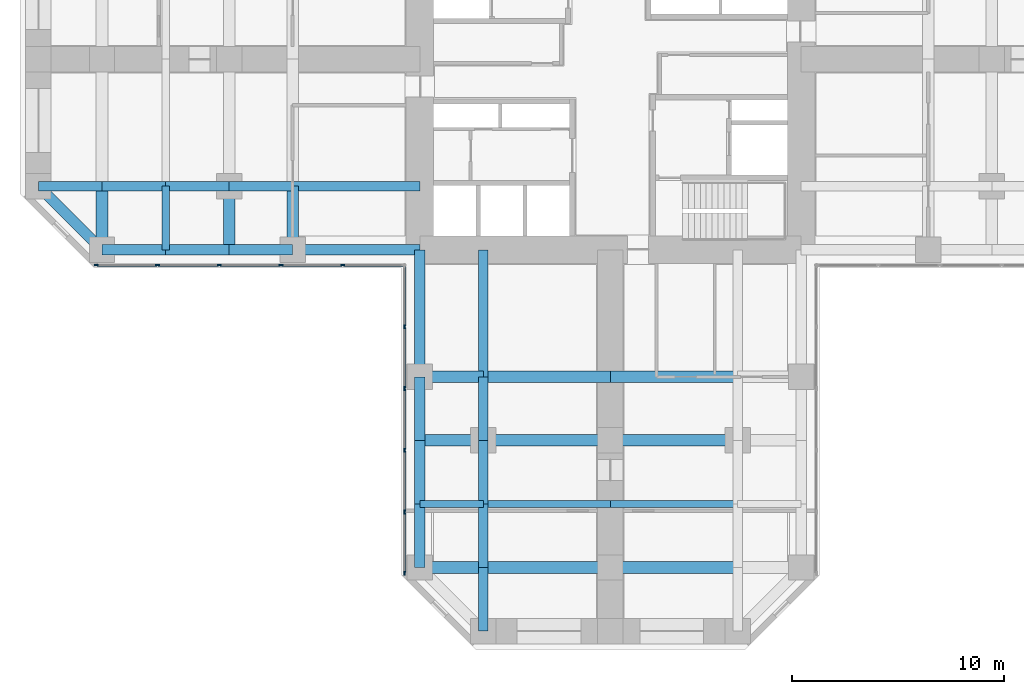
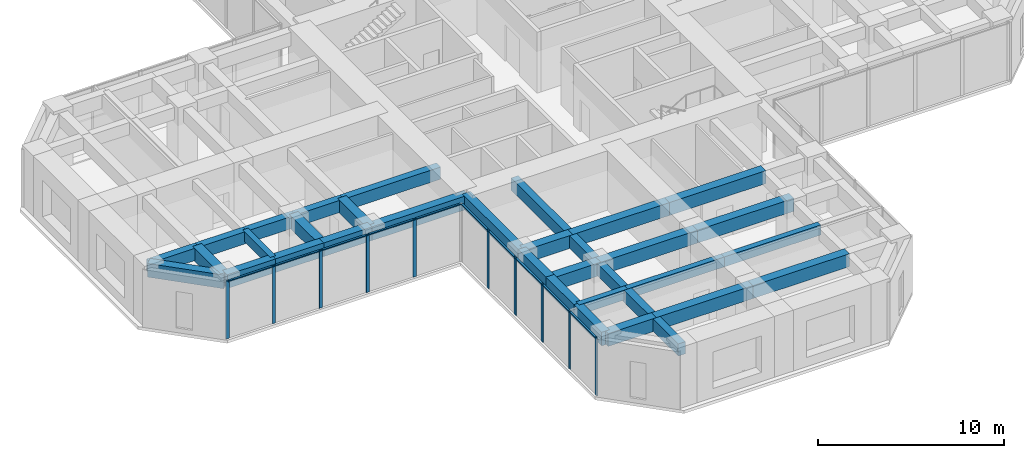
# One storey, part 2 of 12: 35 beams, 20 members, 2 elements without a shape of their own.
"""IFC4 building model written with IfcOpenShell, lengths in metres."""

from ifc_helpers import new_model, si_unit, direction, frame, origin, origin_2d, place, context, subcontext, project, spatial, rectangle, extrude, material, material_profile, profile_set, type_object, element, aggregate, save


model = new_model("IFC4")

# Units and contexts
model_context = context("Model", 3, precision=1e-05, world=origin(), true_north=direction((0.0, 1.0)))
body_context = subcontext(model_context, "Body", "Model", "MODEL_VIEW")
ifc_project = project(units=[si_unit("LENGTHUNIT", "METRE"), si_unit("AREAUNIT", "SQUARE_METRE"), si_unit("VOLUMEUNIT", "CUBIC_METRE"), si_unit("PLANEANGLEUNIT", "RADIAN"), si_unit("MASSUNIT", "GRAM", prefix="KILO")], contexts=[model_context])

# Site, building, storey
site_placement = place(None, origin())
site = spatial("IfcSite", under=ifc_project, at=site_placement, CompositionType="ELEMENT")
building_placement = place(site_placement, origin())
building = spatial("IfcBuilding", under=site, at=building_placement, Name="Torre Cruceta", CompositionType="ELEMENT")
storey_placement = place(building_placement, frame((0.0, 0.0, 79.5)))
storey = spatial("IfcBuildingStorey", under=building, at=storey_placement, Name="L19", CompositionType="ELEMENT", Elevation=79.5)

# Beams
ifc_material_1 = material(Name="Concrete G60 (fck 60 MPa)", Category="concrete")
ifc_material_profile_1 = material_profile(ifc_material_1, rectangle(XDim=0.449951171875, YDim=0.800048828125, at=origin_2d()), Name="RC 450X800")
ifc_profile_set_1 = profile_set([ifc_material_profile_1], Name="Concrete G60 (fck 60 MPa)")
beam_type_1 = type_object("IfcBeamType", Name="COLUMN LINE BEAM RC 450X800", PredefinedType="BEAM", material=ifc_profile_set_1)
beam_1_placement = place(storey_placement, frame((-6.0, -9.0, 3.39990234375), z_axis=(0.0, -1.0, 0.0), x_axis=(1.0, 0.0, 0.0)))
element("IfcBeam", 1, at=beam_1_placement, inside=storey, type_object=beam_type_1, Name="LB1 L19 S col- 1", PredefinedType="BEAM", context=body_context, shape_type="SweptSolid", body=[
    extrude(rectangle(XDim=0.449951171875, YDim=0.800048828125, at=origin_2d()), origin(), (0.0, 0.0, 1.0), 6.0),
])
for number, where, z_axis, x_axis, name in (
    (2, (-6.0, -15.0, 3.39990234375), (0.0, -1.0, 0.0), (1.0, 0.0, 0.0), "LB1 L19 S col- 2"),
    (3, (-6.0, -18.0, 3.39990234375), (0.0, -1.0, 0.0), (1.0, 0.0, 0.0), "LB1 L19 S col- 3"),
    (4, (-6.0, -21.0, 3.39990234375), (0.0, -1.0, 0.0), (1.0, 0.0, 0.0), "LB1 L19 S col- 4"),
    (5, (-6.0, -24.0, 3.39990234375), (0.0, -1.0, 0.0), (1.0, 0.0, 0.0), "LB1 L19 S col- 5"),
):
    element("IfcBeam", number, at=place(storey_placement, frame(where, z_axis=z_axis, x_axis=x_axis)), inside=storey, type_object=beam_type_1, Name=name, PredefinedType="BEAM", context=body_context, shape_type="SweptSolid", body=[
        extrude(rectangle(XDim=0.449951171875, YDim=0.800048828125, at=origin_2d()), origin(), (0.0, 0.0, 1.0), 3.0),
    ])
beam_2_placement = place(storey_placement, frame((-9.0, -6.0, 3.39990234375), z_axis=(-1.0, 0.0, 0.0), x_axis=(0.0, -1.0, 0.0)))
element("IfcBeam", 6, at=beam_2_placement, inside=storey, type_object=beam_type_1, Name="LB1 L19 W col+ 1", PredefinedType="BEAM", context=body_context, shape_type="SweptSolid", body=[
    extrude(rectangle(XDim=0.449951171875, YDim=0.800048828125, at=origin_2d()), origin(), (0.0, 0.0, 1.0), 6.0),
])
for number, where, z_axis, x_axis, name in (
    (7, (-15.0, -6.0, 3.39990234375), (-1.0, 0.0, 0.0), (0.0, -1.0, 0.0), "LB1 L19 W col+ 2"),
    (8, (-18.0, -6.0, 3.39990234375), (-1.0, 0.0, 0.0), (0.0, -1.0, 0.0), "LB1 L19 W col+ 3"),
    (9, (-21.0, -6.0, 3.39990234375), (-1.0, 0.0, 0.0), (0.0, -1.0, 0.0), "LB1 L19 W col+ 4"),
    (10, (-24.0, -6.0, 3.39990234375), (-1.0, 0.0, 0.0), (0.0, -1.0, 0.0), "LB1 L19 W col+ 5"),
):
    element("IfcBeam", number, at=place(storey_placement, frame(where, z_axis=z_axis, x_axis=x_axis)), inside=storey, type_object=beam_type_1, Name=name, PredefinedType="BEAM", context=body_context, shape_type="SweptSolid", body=[
        extrude(rectangle(XDim=0.449951171875, YDim=0.800048828125, at=origin_2d()), origin(), (0.0, 0.0, 1.0), 3.0),
    ])
ifc_material_2 = material(Name="Concrete G60 (fck 60 MPa)", Category="concrete")
ifc_material_profile_2 = material_profile(ifc_material_2, rectangle(XDim=0.550048828125, YDim=0.85009765625, at=origin_2d()), Name="RC 550X850")
ifc_profile_set_2 = profile_set([ifc_material_profile_2], Name="Concrete G60 (fck 60 MPa)")
beam_type_2 = type_object("IfcBeamType", Name="CROSS BEAM RC 550X850", PredefinedType="BEAM", material=ifc_profile_set_2)
beam_3_placement = place(storey_placement, frame((-9.0, -15.0, 3.375), z_axis=(1.0, 0.0, 0.0), x_axis=(0.0, 1.0, 0.0)))
element("IfcBeam", 11, at=beam_3_placement, inside=storey, type_object=beam_type_2, Name="GB4 L19 S cross15 1", PredefinedType="BEAM", context=body_context, shape_type="SweptSolid", body=[
    extrude(rectangle(XDim=0.550048828125, YDim=0.85009765625, at=origin_2d()), origin(), (0.0, 0.0, 1.0), 3.0),
])
for number, where, z_axis, x_axis, name in (
    (12, (-6.0, -15.0, 3.375), (1.0, 0.0, 0.0), (0.0, 1.0, 0.0), "GB4 L19 S cross15 2"),
    (13, (0.0, -15.0, 3.375), (1.0, 0.0, 0.0), (0.0, 1.0, 0.0), "GB4 L19 S cross15 3"),
):
    element("IfcBeam", number, at=place(storey_placement, frame(where, z_axis=z_axis, x_axis=x_axis)), inside=storey, type_object=beam_type_2, Name=name, PredefinedType="BEAM", context=body_context, shape_type="SweptSolid", body=[
        extrude(rectangle(XDim=0.550048828125, YDim=0.85009765625, at=origin_2d()), origin(), (0.0, 0.0, 1.0), 6.0),
    ])
beam_4_placement = place(storey_placement, frame((-9.0, -18.0, 3.375), z_axis=(1.0, 0.0, 0.0), x_axis=(0.0, 1.0, 0.0)))
element("IfcBeam", 14, at=beam_4_placement, inside=storey, type_object=beam_type_2, Name="GB4 L19 S cross18 1", PredefinedType="BEAM", context=body_context, shape_type="SweptSolid", body=[
    extrude(rectangle(XDim=0.550048828125, YDim=0.85009765625, at=origin_2d()), origin(), (0.0, 0.0, 1.0), 3.0),
])
for number, where, z_axis, x_axis, name in (
    (15, (-6.0, -18.0, 3.375), (1.0, 0.0, 0.0), (0.0, 1.0, 0.0), "GB4 L19 S cross18 2"),
    (16, (0.0, -18.0, 3.375), (1.0, 0.0, 0.0), (0.0, 1.0, 0.0), "GB4 L19 S cross18 3"),
):
    element("IfcBeam", number, at=place(storey_placement, frame(where, z_axis=z_axis, x_axis=x_axis)), inside=storey, type_object=beam_type_2, Name=name, PredefinedType="BEAM", context=body_context, shape_type="SweptSolid", body=[
        extrude(rectangle(XDim=0.550048828125, YDim=0.85009765625, at=origin_2d()), origin(), (0.0, 0.0, 1.0), 6.0),
    ])
beam_5_placement = place(storey_placement, frame((-9.0, -24.0, 3.375), z_axis=(1.0, 0.0, 0.0), x_axis=(0.0, 1.0, 0.0)))
element("IfcBeam", 17, at=beam_5_placement, inside=storey, type_object=beam_type_2, Name="GB4 L19 S cross24 1", PredefinedType="BEAM", context=body_context, shape_type="SweptSolid", body=[
    extrude(rectangle(XDim=0.550048828125, YDim=0.85009765625, at=origin_2d()), origin(), (0.0, 0.0, 1.0), 3.0),
])
for number, where, z_axis, x_axis, name in (
    (18, (-6.0, -24.0, 3.375), (1.0, 0.0, 0.0), (0.0, 1.0, 0.0), "GB4 L19 S cross24 2"),
    (19, (0.0, -24.0, 3.375), (1.0, 0.0, 0.0), (0.0, 1.0, 0.0), "GB4 L19 S cross24 3"),
):
    element("IfcBeam", number, at=place(storey_placement, frame(where, z_axis=z_axis, x_axis=x_axis)), inside=storey, type_object=beam_type_2, Name=name, PredefinedType="BEAM", context=body_context, shape_type="SweptSolid", body=[
        extrude(rectangle(XDim=0.550048828125, YDim=0.85009765625, at=origin_2d()), origin(), (0.0, 0.0, 1.0), 6.0),
    ])
for number, where, z_axis, x_axis, name in (
    (20, (-15.0, -6.0, 3.375), (0.0, -1.0, 0.0), (1.0, 0.0, 0.0), "GB4 L19 W cross15 4"),
    (21, (-18.0, -6.0, 3.375), (0.0, -1.0, 0.0), (1.0, 0.0, 0.0), "GB4 L19 W cross18 4"),
    (22, (-24.0, -6.0, 3.375), (0.0, -1.0, 0.0), (1.0, 0.0, 0.0), "GB4 L19 W cross24 4"),
):
    element("IfcBeam", number, at=place(storey_placement, frame(where, z_axis=z_axis, x_axis=x_axis)), inside=storey, type_object=beam_type_2, Name=name, PredefinedType="BEAM", context=body_context, shape_type="SweptSolid", body=[
        extrude(rectangle(XDim=0.550048828125, YDim=0.85009765625, at=origin_2d()), origin(), (0.0, 0.0, 1.0), 3.0),
    ])

# Curtain wall, members
ifc_material_3 = material(Name="Aluminium unitised curtain wall", Category="aluminium")
curtain_wall_type = type_object("IfcCurtainWallType", Name="CURTAIN WALL CW-A OFFICE LOW RISE", PredefinedType="USERDEFINED", material=ifc_material_3)
curtain_wall_1_placement = place(storey_placement, origin())
curtain_wall_1 = element("IfcCurtainWall", 23, at=curtain_wall_1_placement, inside=storey, type_object=curtain_wall_type, Name="CW-A L19 W side 14", ObjectType="UNITISED", PredefinedType="USERDEFINED")
ifc_material_4 = material(Name="Aluminium mullion", Category="aluminium")
ifc_material_profile_3 = material_profile(ifc_material_4, rectangle(XDim=0.06494140625, YDim=0.199951171875, at=origin_2d()), Name="AL 65X200")
ifc_profile_set_3 = profile_set([ifc_material_profile_3], Name="Aluminium mullion")
member_type_1 = type_object("IfcMemberType", Name="CW-A MULLION 65X200", PredefinedType="MULLION", material=ifc_profile_set_3)
member_1_placement = place(storey_placement, frame((-24.265625, -9.719970703125, 0.0), z_axis=(0.0, 0.0, 1.0), x_axis=(0.0, 1.0, 0.0)))
member_1 = element("IfcMember", 24, at=member_1_placement, type_object=member_type_1, Name="CW-A mullion 1", PredefinedType="MULLION", context=body_context, shape_type="SweptSolid", body=[
    extrude(rectangle(XDim=0.06494140625, YDim=0.199951171875, at=origin_2d()), origin(), (0.0, 0.0, 1.0), 3.800048828125),
])
member_2_placement = place(storey_placement, frame((-21.382568359375, -9.719970703125, 0.0), z_axis=(0.0, 0.0, 1.0), x_axis=(0.0, 1.0, 0.0)))
member_2 = element("IfcMember", 25, at=member_2_placement, type_object=member_type_1, Name="CW-A mullion 2", PredefinedType="MULLION", context=body_context, shape_type="SweptSolid", body=[
    extrude(rectangle(XDim=0.06494140625, YDim=0.199951171875, at=origin_2d()), origin(), (0.0, 0.0, 1.0), 3.800048828125),
])
member_3_placement = place(storey_placement, frame((-18.467041015625, -9.719970703125, 0.0), z_axis=(0.0, 0.0, 1.0), x_axis=(0.0, 1.0, 0.0)))
member_3 = element("IfcMember", 26, at=member_3_placement, type_object=member_type_1, Name="CW-A mullion 3", PredefinedType="MULLION", context=body_context, shape_type="SweptSolid", body=[
    extrude(rectangle(XDim=0.06494140625, YDim=0.199951171875, at=origin_2d()), origin(), (0.0, 0.0, 1.0), 3.800048828125),
])
member_4_placement = place(storey_placement, frame((-15.55126953125, -9.719970703125, 0.0), z_axis=(0.0, 0.0, 1.0), x_axis=(0.0, 1.0, 0.0)))
member_4 = element("IfcMember", 27, at=member_4_placement, type_object=member_type_1, Name="CW-A mullion 4", PredefinedType="MULLION", context=body_context, shape_type="SweptSolid", body=[
    extrude(rectangle(XDim=0.06494140625, YDim=0.199951171875, at=origin_2d()), origin(), (0.0, 0.0, 1.0), 3.800048828125),
])
member_5_placement = place(storey_placement, frame((-12.6357421875, -9.719970703125, 0.0), z_axis=(0.0, 0.0, 1.0), x_axis=(0.0, 1.0, 0.0)))
member_5 = element("IfcMember", 28, at=member_5_placement, type_object=member_type_1, Name="CW-A mullion 5", PredefinedType="MULLION", context=body_context, shape_type="SweptSolid", body=[
    extrude(rectangle(XDim=0.06494140625, YDim=0.199951171875, at=origin_2d()), origin(), (0.0, 0.0, 1.0), 3.800048828125),
])

curtain_wall_2_placement = place(storey_placement, origin())
curtain_wall_2 = element("IfcCurtainWall", 29, at=curtain_wall_2_placement, inside=storey, type_object=curtain_wall_type, Name="CW-A L19 S side 15", ObjectType="UNITISED", PredefinedType="USERDEFINED")
member_6_placement = place(storey_placement, frame((-9.719970703125, -12.6357421875, 0.0), z_axis=(0.0, 0.0, 1.0), x_axis=(1.0, 0.0, 0.0)))
member_6 = element("IfcMember", 30, at=member_6_placement, type_object=member_type_1, Name="CW-A mullion 2", PredefinedType="MULLION", context=body_context, shape_type="SweptSolid", body=[
    extrude(rectangle(XDim=0.06494140625, YDim=0.199951171875, at=origin_2d()), origin(), (0.0, 0.0, 1.0), 3.800048828125),
])
member_7_placement = place(storey_placement, frame((-9.719970703125, -15.55126953125, 0.0), z_axis=(0.0, 0.0, 1.0), x_axis=(1.0, 0.0, 0.0)))
member_7 = element("IfcMember", 31, at=member_7_placement, type_object=member_type_1, Name="CW-A mullion 3", PredefinedType="MULLION", context=body_context, shape_type="SweptSolid", body=[
    extrude(rectangle(XDim=0.06494140625, YDim=0.199951171875, at=origin_2d()), origin(), (0.0, 0.0, 1.0), 3.800048828125),
])
member_8_placement = place(storey_placement, frame((-9.719970703125, -18.467041015625, 0.0), z_axis=(0.0, 0.0, 1.0), x_axis=(1.0, 0.0, 0.0)))
member_8 = element("IfcMember", 32, at=member_8_placement, type_object=member_type_1, Name="CW-A mullion 4", PredefinedType="MULLION", context=body_context, shape_type="SweptSolid", body=[
    extrude(rectangle(XDim=0.06494140625, YDim=0.199951171875, at=origin_2d()), origin(), (0.0, 0.0, 1.0), 3.800048828125),
])
member_9_placement = place(storey_placement, frame((-9.719970703125, -21.382568359375, 0.0), z_axis=(0.0, 0.0, 1.0), x_axis=(1.0, 0.0, 0.0)))
member_9 = element("IfcMember", 33, at=member_9_placement, type_object=member_type_1, Name="CW-A mullion 5", PredefinedType="MULLION", context=body_context, shape_type="SweptSolid", body=[
    extrude(rectangle(XDim=0.06494140625, YDim=0.199951171875, at=origin_2d()), origin(), (0.0, 0.0, 1.0), 3.800048828125),
])
member_10_placement = place(storey_placement, frame((-9.719970703125, -24.265625, 0.0), z_axis=(0.0, 0.0, 1.0), x_axis=(1.0, 0.0, 0.0)))
member_10 = element("IfcMember", 34, at=member_10_placement, type_object=member_type_1, Name="CW-A mullion 6", PredefinedType="MULLION", context=body_context, shape_type="SweptSolid", body=[
    extrude(rectangle(XDim=0.06494140625, YDim=0.199951171875, at=origin_2d()), origin(), (0.0, 0.0, 1.0), 3.800048828125),
])

# Member
ifc_material_5 = material(Name="Aluminium transom", Category="aluminium")
ifc_material_profile_4 = material_profile(ifc_material_5, rectangle(XDim=0.1201171875, YDim=0.06494140625, at=origin_2d()), Name="AL 120X65")
ifc_profile_set_4 = profile_set([ifc_material_profile_4], Name="Aluminium transom")
member_type_2 = type_object("IfcMemberType", Name="CW-A TRANSOM 65X120", PredefinedType="USERDEFINED", material=ifc_profile_set_4)
member_11_placement = place(storey_placement, frame((-24.233154296875, -9.719970703125, 3.767578125), z_axis=(1.0, 0.0, 0.0), x_axis=(0.0, 1.0, 0.0)))
member_11 = element("IfcMember", 35, at=member_11_placement, type_object=member_type_2, Name="CW-A transom 1", ObjectType="TRANSOM", PredefinedType="USERDEFINED", context=body_context, shape_type="SweptSolid", body=[
    extrude(rectangle(XDim=0.1201171875, YDim=0.06494140625, at=origin_2d()), origin(), (0.0, 0.0, 1.0), 2.818115234375),
])

member_12_placement = place(storey_placement, frame((-21.35009765625, -9.719970703125, 3.767578125), z_axis=(1.0, 0.0, 0.0), x_axis=(0.0, 1.0, 0.0)))
member_12 = element("IfcMember", 36, at=member_12_placement, type_object=member_type_2, Name="CW-A transom 2", ObjectType="TRANSOM", PredefinedType="USERDEFINED", context=body_context, shape_type="SweptSolid", body=[
    extrude(rectangle(XDim=0.1201171875, YDim=0.06494140625, at=origin_2d()), origin(), (0.0, 0.0, 1.0), 2.8505859375),
])

member_13_placement = place(storey_placement, frame((-18.434326171875, -9.719970703125, 3.767578125), z_axis=(1.0, 0.0, 0.0), x_axis=(0.0, 1.0, 0.0)))
member_13 = element("IfcMember", 37, at=member_13_placement, type_object=member_type_2, Name="CW-A transom 3", ObjectType="TRANSOM", PredefinedType="USERDEFINED", context=body_context, shape_type="SweptSolid", body=[
    extrude(rectangle(XDim=0.1201171875, YDim=0.06494140625, at=origin_2d()), origin(), (0.0, 0.0, 1.0), 2.8505859375),
])

member_14_placement = place(storey_placement, frame((-15.518798828125, -9.719970703125, 3.767578125), z_axis=(1.0, 0.0, 0.0), x_axis=(0.0, 1.0, 0.0)))
member_14 = element("IfcMember", 38, at=member_14_placement, type_object=member_type_2, Name="CW-A transom 4", ObjectType="TRANSOM", PredefinedType="USERDEFINED", context=body_context, shape_type="SweptSolid", body=[
    extrude(rectangle(XDim=0.1201171875, YDim=0.06494140625, at=origin_2d()), origin(), (0.0, 0.0, 1.0), 2.8505859375),
])

member_15_placement = place(storey_placement, frame((-12.60302734375, -9.719970703125, 3.767578125), z_axis=(1.0, 0.0, 0.0), x_axis=(0.0, 1.0, 0.0)))
member_15 = element("IfcMember", 39, at=member_15_placement, type_object=member_type_2, Name="CW-A transom 5", ObjectType="TRANSOM", PredefinedType="USERDEFINED", context=body_context, shape_type="SweptSolid", body=[
    extrude(rectangle(XDim=0.1201171875, YDim=0.06494140625, at=origin_2d()), origin(), (0.0, 0.0, 1.0), 2.818115234375),
])

aggregate(curtain_wall_1, [member_1, member_2, member_3, member_4, member_5, member_11, member_12, member_13, member_14, member_15])

member_16_placement = place(storey_placement, frame((-9.719970703125, -9.784912109375, 3.767578125), z_axis=(0.0, -1.0, 0.0), x_axis=(1.0, 0.0, 0.0)))
member_16 = element("IfcMember", 40, at=member_16_placement, type_object=member_type_2, Name="CW-A transom 1", ObjectType="TRANSOM", PredefinedType="USERDEFINED", context=body_context, shape_type="SweptSolid", body=[
    extrude(rectangle(XDim=0.1201171875, YDim=0.06494140625, at=origin_2d()), origin(), (0.0, 0.0, 1.0), 2.818115234375),
])

member_17_placement = place(storey_placement, frame((-9.719970703125, -12.668212890625, 3.767578125), z_axis=(0.0, -1.0, 0.0), x_axis=(1.0, 0.0, 0.0)))
member_17 = element("IfcMember", 41, at=member_17_placement, type_object=member_type_2, Name="CW-A transom 2", ObjectType="TRANSOM", PredefinedType="USERDEFINED", context=body_context, shape_type="SweptSolid", body=[
    extrude(rectangle(XDim=0.1201171875, YDim=0.06494140625, at=origin_2d()), origin(), (0.0, 0.0, 1.0), 2.8505859375),
])

member_18_placement = place(storey_placement, frame((-9.719970703125, -15.583740234375, 3.767578125), z_axis=(0.0, -1.0, 0.0), x_axis=(1.0, 0.0, 0.0)))
member_18 = element("IfcMember", 42, at=member_18_placement, type_object=member_type_2, Name="CW-A transom 3", ObjectType="TRANSOM", PredefinedType="USERDEFINED", context=body_context, shape_type="SweptSolid", body=[
    extrude(rectangle(XDim=0.1201171875, YDim=0.06494140625, at=origin_2d()), origin(), (0.0, 0.0, 1.0), 2.8505859375),
])

member_19_placement = place(storey_placement, frame((-9.719970703125, -18.49951171875, 3.767578125), z_axis=(0.0, -1.0, 0.0), x_axis=(1.0, 0.0, 0.0)))
member_19 = element("IfcMember", 43, at=member_19_placement, type_object=member_type_2, Name="CW-A transom 4", ObjectType="TRANSOM", PredefinedType="USERDEFINED", context=body_context, shape_type="SweptSolid", body=[
    extrude(rectangle(XDim=0.1201171875, YDim=0.06494140625, at=origin_2d()), origin(), (0.0, 0.0, 1.0), 2.8505859375),
])

member_20_placement = place(storey_placement, frame((-9.719970703125, -21.4150390625, 3.767578125), z_axis=(0.0, -1.0, 0.0), x_axis=(1.0, 0.0, 0.0)))
member_20 = element("IfcMember", 44, at=member_20_placement, type_object=member_type_2, Name="CW-A transom 5", ObjectType="TRANSOM", PredefinedType="USERDEFINED", context=body_context, shape_type="SweptSolid", body=[
    extrude(rectangle(XDim=0.1201171875, YDim=0.06494140625, at=origin_2d()), origin(), (0.0, 0.0, 1.0), 2.818115234375),
])

aggregate(curtain_wall_2, [member_6, member_7, member_8, member_9, member_10, member_16, member_17, member_18, member_19, member_20])

# Beams
ifc_material_6 = material(Name="Concrete G60 (fck 60 MPa)", Category="concrete")
ifc_material_profile_5 = material_profile(ifc_material_6, rectangle(XDim=0.35009765625, YDim=0.64990234375, at=origin_2d()), Name="RC 350X650")
ifc_profile_set_5 = profile_set([ifc_material_profile_5], Name="Concrete G60 (fck 60 MPa)")
beam_type_3 = type_object("IfcBeamType", Name="SECONDARY BEAM RC 350X650", PredefinedType="JOIST", material=ifc_profile_set_5)
beam_6_placement = place(storey_placement, frame((-9.0, -21.0, 3.47509765625), z_axis=(1.0, 0.0, 0.0), x_axis=(0.0, 1.0, 0.0)))
element("IfcBeam", 45, at=beam_6_placement, inside=storey, type_object=beam_type_3, Name="JB3 L19 S sec21 1", PredefinedType="JOIST", context=body_context, shape_type="SweptSolid", body=[
    extrude(rectangle(XDim=0.35009765625, YDim=0.64990234375, at=origin_2d()), origin(), (0.0, 0.0, 1.0), 3.0),
])
for number, where, z_axis, x_axis, name in (
    (46, (-6.0, -21.0, 3.47509765625), (1.0, 0.0, 0.0), (0.0, 1.0, 0.0), "JB3 L19 S sec21 2"),
    (47, (0.0, -21.0, 3.47509765625), (1.0, 0.0, 0.0), (0.0, 1.0, 0.0), "JB3 L19 S sec21 3"),
):
    element("IfcBeam", number, at=place(storey_placement, frame(where, z_axis=z_axis, x_axis=x_axis)), inside=storey, type_object=beam_type_3, Name=name, PredefinedType="JOIST", context=body_context, shape_type="SweptSolid", body=[
        extrude(rectangle(XDim=0.35009765625, YDim=0.64990234375, at=origin_2d()), origin(), (0.0, 0.0, 1.0), 6.0),
    ])
beam_7_placement = place(storey_placement, frame((-21.0, -6.0, 3.47509765625), z_axis=(0.0, -1.0, 0.0), x_axis=(1.0, 0.0, 0.0)))
element("IfcBeam", 48, at=beam_7_placement, inside=storey, type_object=beam_type_3, Name="JB3 L19 W sec21 4", PredefinedType="JOIST", context=body_context, shape_type="SweptSolid", body=[
    extrude(rectangle(XDim=0.35009765625, YDim=0.64990234375, at=origin_2d()), origin(), (0.0, 0.0, 1.0), 3.0),
])
ifc_material_7 = material(Name="Concrete G60 (fck 60 MPa)", Category="concrete")
ifc_material_profile_6 = material_profile(ifc_material_7, rectangle(XDim=0.5, YDim=0.89990234375, at=origin_2d()), Name="RC 500X900")
ifc_profile_set_6 = profile_set([ifc_material_profile_6], Name="Concrete G60 (fck 60 MPa)")
beam_type_4 = type_object("IfcBeamType", Name="SPANDREL BEAM RC 500X900", PredefinedType="SPANDREL", material=ifc_profile_set_6)
beam_8_placement = place(storey_placement, frame((-9.0, -9.0, 3.35009765625), z_axis=(0.0, -1.0, 0.0), x_axis=(1.0, 0.0, 0.0)))
element("IfcBeam", 49, at=beam_8_placement, inside=storey, type_object=beam_type_4, Name="SB4 L19 S side- 1", PredefinedType="SPANDREL", context=body_context, shape_type="SweptSolid", body=[
    extrude(rectangle(XDim=0.5, YDim=0.89990234375, at=origin_2d()), origin(), (0.0, 0.0, 1.0), 6.0),
])
for number, where, z_axis, x_axis, name in (
    (50, (-9.0, -15.0, 3.35009765625), (0.0, -1.0, 0.0), (1.0, 0.0, 0.0), "SB4 L19 S side- 2"),
    (51, (-9.0, -18.0, 3.35009765625), (0.0, -1.0, 0.0), (1.0, 0.0, 0.0), "SB4 L19 S side- 3"),
    (52, (-9.0, -21.0, 3.35009765625), (0.0, -1.0, 0.0), (1.0, 0.0, 0.0), "SB4 L19 S side- 4"),
):
    element("IfcBeam", number, at=place(storey_placement, frame(where, z_axis=z_axis, x_axis=x_axis)), inside=storey, type_object=beam_type_4, Name=name, PredefinedType="SPANDREL", context=body_context, shape_type="SweptSolid", body=[
        extrude(rectangle(XDim=0.5, YDim=0.89990234375, at=origin_2d()), origin(), (0.0, 0.0, 1.0), 3.0),
    ])
beam_9_placement = place(storey_placement, frame((-9.0, -9.0, 3.35009765625), z_axis=(-1.0, 0.0, 0.0), x_axis=(0.0, -1.0, 0.0)))
element("IfcBeam", 53, at=beam_9_placement, inside=storey, type_object=beam_type_4, Name="SB4 L19 W side+ 1", PredefinedType="SPANDREL", context=body_context, shape_type="SweptSolid", body=[
    extrude(rectangle(XDim=0.5, YDim=0.89990234375, at=origin_2d()), origin(), (0.0, 0.0, 1.0), 6.0),
])
for number, where, z_axis, x_axis, name in (
    (54, (-15.0, -9.0, 3.35009765625), (-1.0, 0.0, 0.0), (0.0, -1.0, 0.0), "SB4 L19 W side+ 2"),
    (55, (-18.0, -9.0, 3.35009765625), (-1.0, 0.0, 0.0), (0.0, -1.0, 0.0), "SB4 L19 W side+ 3"),
    (56, (-21.0, -9.0, 3.35009765625), (-1.0, 0.0, 0.0), (0.0, -1.0, 0.0), "SB4 L19 W side+ 4"),
):
    element("IfcBeam", number, at=place(storey_placement, frame(where, z_axis=z_axis, x_axis=x_axis)), inside=storey, type_object=beam_type_4, Name=name, PredefinedType="SPANDREL", context=body_context, shape_type="SweptSolid", body=[
        extrude(rectangle(XDim=0.5, YDim=0.89990234375, at=origin_2d()), origin(), (0.0, 0.0, 1.0), 3.0),
    ])
beam_10_placement = place(storey_placement, frame((-24.0, -9.0, 3.35009765625), z_axis=(-0.707106781187, 0.707106781187, 0.0), x_axis=(-0.707106781187, -0.707106781187, 0.0)))
element("IfcBeam", 57, at=beam_10_placement, inside=storey, type_object=beam_type_4, Name="SB4 L19 W side+ 5", PredefinedType="SPANDREL", context=body_context, shape_type="SweptSolid", body=[
    extrude(rectangle(XDim=0.5, YDim=0.89990234375, at=origin_2d()), origin(), (0.0, 0.0, 1.0), 4.24267578125),
])

save(model, "model.ifc")
